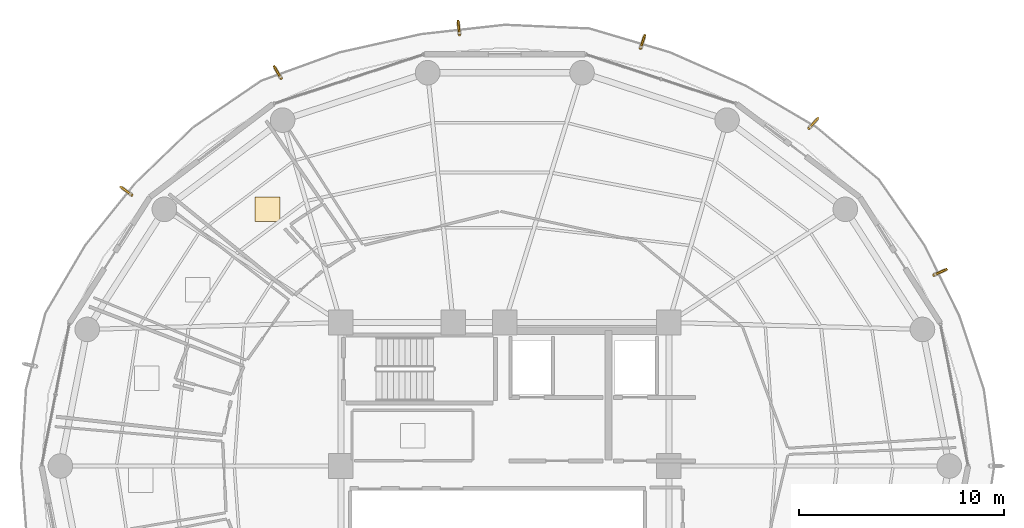
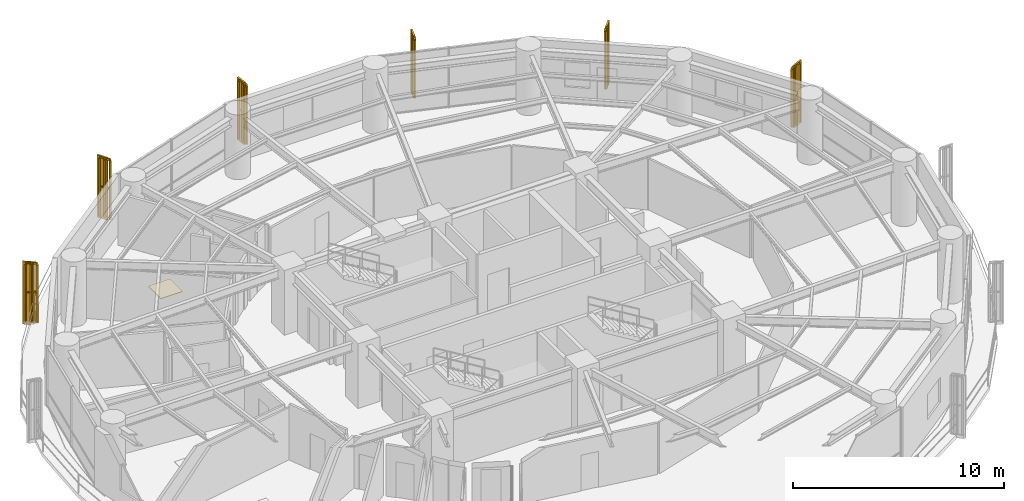
# One storey, part 28 of 28: 6 railings, 6 shading devices, 1 covering.
"""IFC4 building model written with IfcOpenShell, lengths in metres."""

from ifc_helpers import new_model, si_unit, direction, frame, origin, origin_2d, place, context, subcontext, project, spatial, polyline, rectangle, outline, extrude, source, transform, mapped, material, layer, layer_set, type_object, element, save


model = new_model("IFC4")

# Units and contexts
model_context = context("Model", 3, precision=1e-05, world=origin(), true_north=direction((0.0, 1.0)))
body_context = subcontext(model_context, "Body", "Model", "MODEL_VIEW")
ifc_project = project(units=[si_unit("LENGTHUNIT", "METRE"), si_unit("AREAUNIT", "SQUARE_METRE"), si_unit("VOLUMEUNIT", "CUBIC_METRE"), si_unit("PLANEANGLEUNIT", "RADIAN"), si_unit("MASSUNIT", "GRAM", prefix="KILO")], contexts=[model_context])

# Site, building, storey
site_placement = place(None, origin())
site = spatial("IfcSite", under=ifc_project, at=site_placement, CompositionType="ELEMENT")
building_placement = place(site_placement, origin())
building = spatial("IfcBuilding", under=site, at=building_placement, Name="Kelanora Arch Commons", CompositionType="ELEMENT")
storey_placement = place(building_placement, frame((0.0, 0.0, 158.10009765625)))
storey = spatial("IfcBuildingStorey", under=building, at=storey_placement, Name="L40", CompositionType="ELEMENT", Elevation=158.10009765625)

# Railings
ifc_material_1 = material(Name="Anodised bronze vertical shading fin rib assembly")
railing_type = type_object("IfcRailingType", Name="RAIL-FIN-BRZ", PredefinedType="BALUSTRADE", material=ifc_material_1)
railing_1_placement = place(storey_placement, frame((94.935791015625, 67.3212890625, -0.02001953125)))
element("IfcRailing", 1, at=railing_1_placement, inside=storey, type_object=railing_type, Name="Sweeping Bronze Vertical Fin Blade L40-01", PredefinedType="BALUSTRADE", context=body_context, shape_type="SweptSolid", body=[
    extrude(outline(polyline([(0.06982421875, 0.0), (0.034912109375, 0.060546875), (-0.034912109375, 0.060546875), (-0.06982421875, 0.0), (-0.034912109375, -0.060546875), (0.034912109375, -0.060546875), (0.06982421875, 0.0)])), frame((0.0, 0.0, 3.419921875), z_axis=(0.913542263441, 0.406743817294, 0.0), x_axis=(-0.406743817294, 0.913542263441, 0.0)), (0.0, 0.0, 1.0), 0.561279296875),
    extrude(outline(polyline([(0.06982421875, 0.0), (0.034912109375, 0.060546875), (-0.034912109375, 0.060546875), (-0.06982421875, 0.0), (-0.034912109375, -0.060546875), (0.034912109375, -0.060546875), (0.06982421875, 0.0)])), frame((0.0, 0.0, 1.7451171875), z_axis=(0.913542263441, 0.406743817294, 0.0), x_axis=(-0.406743817294, 0.913542263441, 0.0)), (0.0, 0.0, 1.0), 0.561279296875),
    extrude(outline(polyline([(0.080078125, 0.0), (0.0400390625, 0.0693359375), (-0.0400390625, 0.0693359375), (-0.080078125, 0.0), (-0.0400390625, -0.0693359375), (0.0400390625, -0.0693359375), (0.080078125, 0.0)])), origin(), (0.0, 0.0, 1.0), 3.35009765625),
    extrude(outline(polyline([(0.080078125, 0.0), (0.0400390625, 0.0693359375), (-0.0400390625, 0.0693359375), (-0.080078125, 0.0), (-0.0400390625, -0.0693359375), (0.0400390625, -0.0693359375), (0.080078125, 0.0)])), frame((0.25634765625, 0.1142578125, 0.0)), (0.0, 0.0, 1.0), 3.35009765625),
    extrude(outline(polyline([(0.080078125, 0.0), (0.0400390625, 0.0693359375), (-0.0400390625, 0.0693359375), (-0.080078125, 0.0), (-0.0400390625, -0.0693359375), (0.0400390625, -0.0693359375), (0.080078125, 0.0)])), frame((0.5126953125, 0.228271484375, 0.0)), (0.0, 0.0, 1.0), 3.35009765625),
])
railing_2_placement = place(storey_placement, frame((88.843505859375, 74.4853515625, -0.02001953125)))
element("IfcRailing", 2, at=railing_2_placement, inside=storey, type_object=railing_type, Name="Sweeping Bronze Vertical Fin Blade L40-02", PredefinedType="BALUSTRADE", context=body_context, shape_type="SweptSolid", body=[
    extrude(outline(polyline([(0.06982421875, 0.0), (0.034912109375, 0.060546875), (-0.034912109375, 0.060546875), (-0.06982421875, 0.0), (-0.034912109375, -0.060546875), (0.034912109375, -0.060546875), (0.06982421875, 0.0)])), frame((0.0, 0.0, 3.419921875), z_axis=(0.669180909878, 0.743099528903, 0.0), x_axis=(-0.743099528903, 0.669180909878, 0.0)), (0.0, 0.0, 1.0), 0.5615234375),
    extrude(outline(polyline([(0.06982421875, 0.0), (0.034912109375, 0.060546875), (-0.034912109375, 0.060546875), (-0.06982421875, 0.0), (-0.034912109375, -0.060546875), (0.034912109375, -0.060546875), (0.06982421875, 0.0)])), frame((0.0, 0.0, 1.7451171875), z_axis=(0.669180909878, 0.743099528903, 0.0), x_axis=(-0.743099528903, 0.669180909878, 0.0)), (0.0, 0.0, 1.0), 0.5615234375),
    extrude(outline(polyline([(0.080078125, 0.0), (0.0400390625, 0.0693359375), (-0.0400390625, 0.0693359375), (-0.080078125, 0.0), (-0.0400390625, -0.0693359375), (0.0400390625, -0.0693359375), (0.080078125, 0.0)])), origin(), (0.0, 0.0, 1.0), 3.35009765625),
    extrude(outline(polyline([(0.080078125, 0.0), (0.0400390625, 0.0693359375), (-0.0400390625, 0.0693359375), (-0.080078125, 0.0), (-0.0400390625, -0.0693359375), (0.0400390625, -0.0693359375), (0.080078125, 0.0)])), frame((0.18798828125, 0.20849609375, 0.0)), (0.0, 0.0, 1.0), 3.35009765625),
    extrude(outline(polyline([(0.080078125, 0.0), (0.0400390625, 0.0693359375), (-0.0400390625, 0.0693359375), (-0.080078125, 0.0), (-0.0400390625, -0.0693359375), (0.0400390625, -0.0693359375), (0.080078125, 0.0)])), frame((0.375732421875, 0.417236328125, 0.0)), (0.0, 0.0, 1.0), 3.35009765625),
])
railing_3_placement = place(storey_placement, frame((80.6201171875, 78.374267578125, -0.02001953125)))
element("IfcRailing", 3, at=railing_3_placement, inside=storey, type_object=railing_type, Name="Sweeping Bronze Vertical Fin Blade L40-03", PredefinedType="BALUSTRADE", context=body_context, shape_type="SweptSolid", body=[
    extrude(outline(polyline([(0.06982421875, 0.0), (0.034912109375, 0.060546875), (-0.034912109375, 0.060546875), (-0.06982421875, 0.0), (-0.034912109375, -0.060546875), (0.034912109375, -0.060546875), (0.06982421875, 0.0)])), frame((0.0, 0.0, 3.419921875), z_axis=(0.308781206343, 0.951133096159, 0.0), x_axis=(-0.951133096159, 0.308781206343, 0.0)), (0.0, 0.0, 1.0), 0.561279296875),
    extrude(outline(polyline([(0.06982421875, 0.0), (0.034912109375, 0.060546875), (-0.034912109375, 0.060546875), (-0.06982421875, 0.0), (-0.034912109375, -0.060546875), (0.034912109375, -0.060546875), (0.06982421875, 0.0)])), frame((0.0, 0.0, 1.7451171875), z_axis=(0.308781206343, 0.951133096159, 0.0), x_axis=(-0.951133096159, 0.308781206343, 0.0)), (0.0, 0.0, 1.0), 0.561279296875),
    extrude(outline(polyline([(0.080078125, 0.0), (0.0400390625, 0.0693359375), (-0.0400390625, 0.0693359375), (-0.080078125, 0.0), (-0.0400390625, -0.0693359375), (0.0400390625, -0.0693359375), (0.080078125, 0.0)])), origin(), (0.0, 0.0, 1.0), 3.35009765625),
    extrude(outline(polyline([(0.080078125, 0.0), (0.0400390625, 0.0693359375), (-0.0400390625, 0.0693359375), (-0.080078125, 0.0), (-0.0400390625, -0.0693359375), (0.0400390625, -0.0693359375), (0.080078125, 0.0)])), frame((0.086669921875, 0.26708984375, 0.0)), (0.0, 0.0, 1.0), 3.35009765625),
    extrude(outline(polyline([(0.080078125, 0.0), (0.0400390625, 0.0693359375), (-0.0400390625, 0.0693359375), (-0.080078125, 0.0), (-0.0400390625, -0.0693359375), (0.0400390625, -0.0693359375), (0.080078125, 0.0)])), frame((0.17333984375, 0.533935546875, 0.0)), (0.0, 0.0, 1.0), 3.35009765625),
])
railing_4_placement = place(storey_placement, frame((71.787109375, 79.054443359375, -0.02001953125)))
element("IfcRailing", 4, at=railing_4_placement, inside=storey, type_object=railing_type, Name="Sweeping Bronze Vertical Fin Blade L40-04", PredefinedType="BALUSTRADE", context=body_context, shape_type="SweptSolid", body=[
    extrude(outline(polyline([(0.06982421875, 0.0), (0.034912109375, 0.060546875), (-0.034912109375, 0.060546875), (-0.06982421875, 0.0), (-0.034912109375, -0.060546875), (0.034912109375, -0.060546875), (0.06982421875, 0.0)])), frame((0.0, 0.0, 3.419921875), z_axis=(-0.104367863089, 0.994538762017, 0.0), x_axis=(-0.994538762017, -0.104367863089, 0.0)), (0.0, 0.0, 1.0), 0.5615234375),
    extrude(outline(polyline([(0.06982421875, 0.0), (0.034912109375, 0.060546875), (-0.034912109375, 0.060546875), (-0.06982421875, 0.0), (-0.034912109375, -0.060546875), (0.034912109375, -0.060546875), (0.06982421875, 0.0)])), frame((0.0, 0.0, 1.7451171875), z_axis=(-0.104367863089, 0.994538762017, 0.0), x_axis=(-0.994538762017, -0.104367863089, 0.0)), (0.0, 0.0, 1.0), 0.5615234375),
    extrude(outline(polyline([(0.080078125, 0.0), (0.0400390625, 0.0693359375), (-0.0400390625, 0.0693359375), (-0.080078125, 0.0), (-0.0400390625, -0.0693359375), (0.0400390625, -0.0693359375), (0.080078125, 0.0)])), origin(), (0.0, 0.0, 1.0), 3.35009765625),
    extrude(outline(polyline([(0.080078125, 0.0), (0.0400390625, 0.0693359375), (-0.0400390625, 0.0693359375), (-0.080078125, 0.0), (-0.0400390625, -0.0693359375), (0.0400390625, -0.0693359375), (0.080078125, 0.0)])), frame((-0.029296875, 0.279296875, 0.0)), (0.0, 0.0, 1.0), 3.35009765625),
    extrude(outline(polyline([(0.080078125, 0.0), (0.0400390625, 0.0693359375), (-0.0400390625, 0.0693359375), (-0.080078125, 0.0), (-0.0400390625, -0.0693359375), (0.0400390625, -0.0693359375), (0.080078125, 0.0)])), frame((-0.05859375, 0.558349609375, 0.0)), (0.0, 0.0, 1.0), 3.35009765625),
])
railing_5_placement = place(storey_placement, frame((63.080810546875, 76.912353515625, -0.02001953125)))
element("IfcRailing", 5, at=railing_5_placement, inside=storey, type_object=railing_type, Name="Sweeping Bronze Vertical Fin Blade L40-05", PredefinedType="BALUSTRADE", context=body_context, shape_type="SweptSolid", body=[
    extrude(outline(polyline([(0.06982421875, 0.0), (0.034912109375, 0.060546875), (-0.034912109375, 0.060546875), (-0.06982421875, 0.0), (-0.034912109375, -0.060546875), (0.034912109375, -0.060546875), (0.06982421875, 0.0)])), frame((0.0, 0.0, 3.419921875), z_axis=(-0.499647160578, 0.866229019905, 0.0), x_axis=(-0.866229019905, -0.499647160578, 0.0)), (0.0, 0.0, 1.0), 0.5615234375),
    extrude(outline(polyline([(0.06982421875, 0.0), (0.034912109375, 0.060546875), (-0.034912109375, 0.060546875), (-0.06982421875, 0.0), (-0.034912109375, -0.060546875), (0.034912109375, -0.060546875), (0.06982421875, 0.0)])), frame((0.0, 0.0, 1.7451171875), z_axis=(-0.499647160578, 0.866229019905, 0.0), x_axis=(-0.866229019905, -0.499647160578, 0.0)), (0.0, 0.0, 1.0), 0.5615234375),
    extrude(outline(polyline([(0.080078125, 0.0), (0.0400390625, 0.0693359375), (-0.0400390625, 0.0693359375), (-0.080078125, 0.0), (-0.0400390625, -0.0693359375), (0.0400390625, -0.0693359375), (0.080078125, 0.0)])), origin(), (0.0, 0.0, 1.0), 3.35009765625),
    extrude(outline(polyline([(0.080078125, 0.0), (0.0400390625, 0.0693359375), (-0.0400390625, 0.0693359375), (-0.080078125, 0.0), (-0.0400390625, -0.0693359375), (0.0400390625, -0.0693359375), (0.080078125, 0.0)])), frame((-0.14013671875, 0.2431640625, 0.0)), (0.0, 0.0, 1.0), 3.35009765625),
    extrude(outline(polyline([(0.080078125, 0.0), (0.0400390625, 0.0693359375), (-0.0400390625, 0.0693359375), (-0.080078125, 0.0), (-0.0400390625, -0.0693359375), (0.0400390625, -0.0693359375), (0.080078125, 0.0)])), frame((-0.280517578125, 0.486328125, 0.0)), (0.0, 0.0, 1.0), 3.35009765625),
])
railing_6_placement = place(storey_placement, frame((55.794189453125, 71.227294921875, -0.02001953125)))
element("IfcRailing", 6, at=railing_6_placement, inside=storey, type_object=railing_type, Name="Sweeping Bronze Vertical Fin Blade L40-06", PredefinedType="BALUSTRADE", context=body_context, shape_type="SweptSolid", body=[
    extrude(outline(polyline([(0.06982421875, 0.0), (0.034912109375, 0.060546875), (-0.034912109375, 0.060546875), (-0.06982421875, 0.0), (-0.034912109375, -0.060546875), (0.034912109375, -0.060546875), (0.06982421875, 0.0)])), frame((0.0, 0.0, 3.419921875), z_axis=(-0.809036766288, 0.587758037626, 0.0), x_axis=(-0.587758037626, -0.809036766288, 0.0)), (0.0, 0.0, 1.0), 0.5615234375),
    extrude(outline(polyline([(0.06982421875, 0.0), (0.034912109375, 0.060546875), (-0.034912109375, 0.060546875), (-0.06982421875, 0.0), (-0.034912109375, -0.060546875), (0.034912109375, -0.060546875), (0.06982421875, 0.0)])), frame((0.0, 0.0, 1.7451171875), z_axis=(-0.809036766288, 0.587758037626, 0.0), x_axis=(-0.587758037626, -0.809036766288, 0.0)), (0.0, 0.0, 1.0), 0.5615234375),
    extrude(outline(polyline([(0.080078125, 0.0), (0.0400390625, 0.0693359375), (-0.0400390625, 0.0693359375), (-0.080078125, 0.0), (-0.0400390625, -0.0693359375), (0.0400390625, -0.0693359375), (0.080078125, 0.0)])), origin(), (0.0, 0.0, 1.0), 3.35009765625),
    extrude(outline(polyline([(0.080078125, 0.0), (0.0400390625, 0.0693359375), (-0.0400390625, 0.0693359375), (-0.080078125, 0.0), (-0.0400390625, -0.0693359375), (0.0400390625, -0.0693359375), (0.080078125, 0.0)])), frame((-0.22705078125, 0.1650390625, 0.0)), (0.0, 0.0, 1.0), 3.35009765625),
    extrude(outline(polyline([(0.080078125, 0.0), (0.0400390625, 0.0693359375), (-0.0400390625, 0.0693359375), (-0.080078125, 0.0), (-0.0400390625, -0.0693359375), (0.0400390625, -0.0693359375), (0.080078125, 0.0)])), frame((-0.454345703125, 0.330078125, 0.0)), (0.0, 0.0, 1.0), 3.35009765625),
])

# Shading devices
ifc_material_2 = material(Name="Terracotta ceramic-clad extruded aluminium fin", Category="masonry")
shading_device_type = type_object("IfcShadingDeviceType", Name="SHD-FIN-WAIST", PredefinedType="USERDEFINED", material=ifc_material_2)
shared_shape_1 = source(origin(), body_context, "Body", "SweptSolid", [
    extrude(rectangle(XDim=0.56005859375, YDim=0.090087890625, at=origin_2d()), origin(), (0.0, 0.0, 1.0), 3.610107421875),
])
for number, where, z_axis, x_axis, name in (
    (7, (95.320068359375, 67.4921875, -0.14013671875), (0.0, 0.0, 1.0), (0.913545457643, 0.406736643076, 0.0), "Sweeping Terracotta Fin L40-01"),
    (8, (89.125, 74.798095703125, -0.14013671875), (0.0, 0.0, 1.0), (0.669130606359, 0.743144825477, 0.0), "Sweeping Terracotta Fin L40-02"),
    (9, (80.75, 78.7744140625, -0.14013671875), (0.0, 0.0, 1.0), (0.309016994375, 0.951056516295, 0.0), "Sweeping Terracotta Fin L40-03"),
    (10, (71.7431640625, 79.472900390625, -0.14013671875), (0.0, 0.0, 1.0), (-0.104528463268, 0.994521895368, 0.0), "Sweeping Terracotta Fin L40-04"),
    (11, (62.87060546875, 77.276611328125, -0.14013671875), (0.0, 0.0, 1.0), (-0.5, 0.866025403784, 0.0), "Sweeping Terracotta Fin L40-05"),
    (12, (55.45361328125, 71.474609375, -0.14013671875), (0.0, 0.0, 1.0), (-0.809016994375, 0.587785252292, 0.0), "Sweeping Terracotta Fin L40-06"),
):
    element("IfcShadingDevice", number, at=place(storey_placement, frame(where, z_axis=z_axis, x_axis=x_axis)), inside=storey, type_object=shading_device_type, Name=name, ObjectType="FIN", PredefinedType="USERDEFINED", context=body_context, shape_type="MappedRepresentation", body=[
        mapped(shared_shape_1, transform((0.0, 0.0, 0.0), scale=1.0)),
    ])

# Covering
ifc_material_3 = material(Name="Polished local granite terrazzo flooring", Category="masonry")
ifc_layer = layer(ifc_material_3, 0.030029296875)
ifc_layer_set = layer_set([ifc_layer], Name="Polished local granite terrazzo flooring")
covering_type = type_object("IfcCoveringType", Name="COV-FLR-TER", PredefinedType="FLOORING", material=ifc_layer_set)
shared_shape_2 = source(origin(), body_context, "Body", "SweptSolid", [
    extrude(rectangle(XDim=1.199951171875, YDim=1.199951171875, at=origin_2d()), origin(), (0.0, 0.0, 1.0), 0.030029296875),
])
covering_placement = place(storey_placement, frame((62.422607421875, 70.52978515625, 0.0), z_axis=(0.0, 0.0, 1.0), x_axis=(1.0, 0.0, 0.0)))
element("IfcCovering", 13, at=covering_placement, inside=storey, type_object=covering_type, Name="Cluster Bedroom L40-01 Terrazzo Finish", PredefinedType="FLOORING", context=body_context, shape_type="MappedRepresentation", body=[
    mapped(shared_shape_2, transform((0.0, 0.0, 0.0), scale=1.0)),
])

save(model, "model.ifc")
